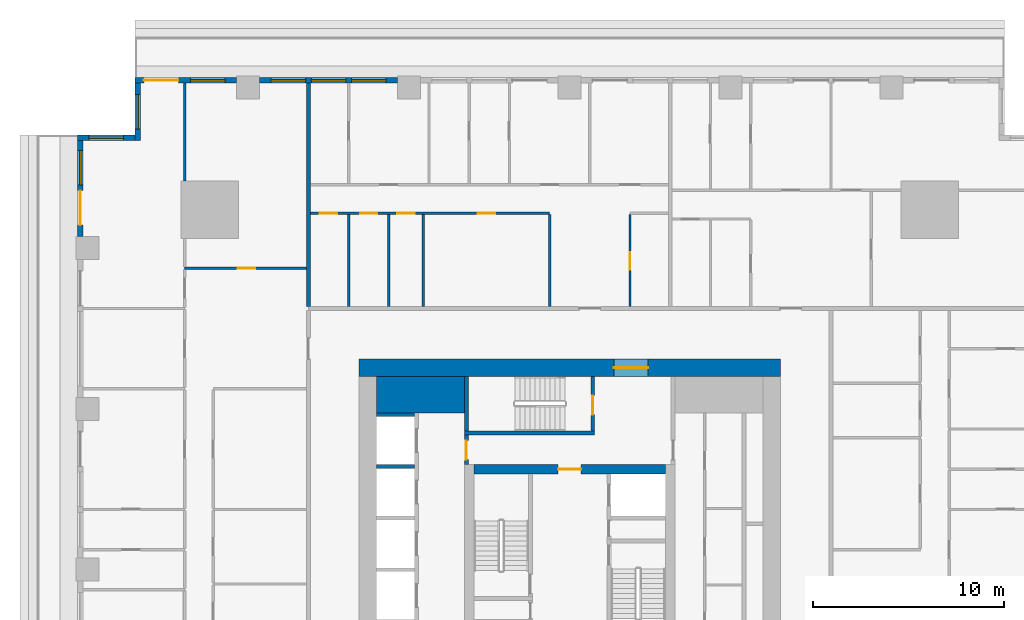
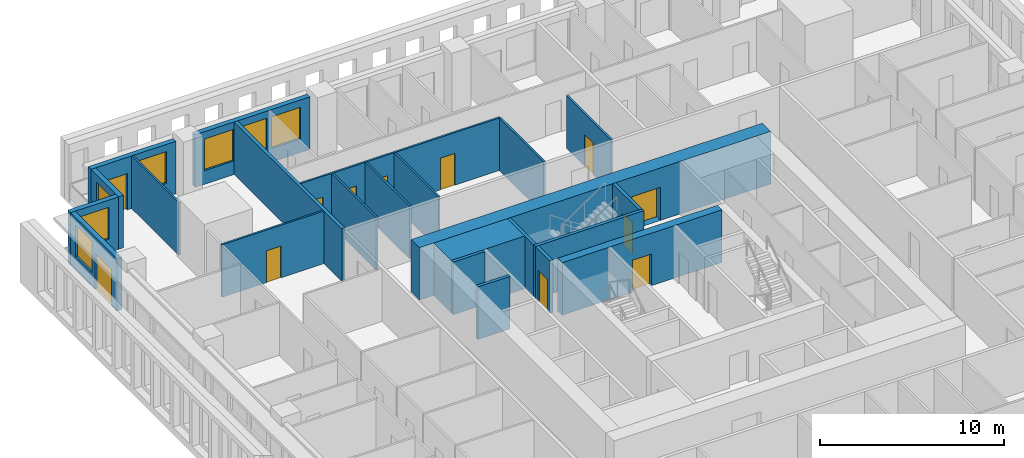
# One storey, part 7 of 15: 23 walls, 12 doors, 7 windows, 19 openings.
"""IFC4 building model written with IfcOpenShell, lengths in metres."""

from ifc_helpers import new_model, si_unit, direction, frame, frame_2d, origin, place, context, subcontext, project, spatial, rectangle, extrude, material, layer, layer_set, type_object, element, fill, save


model = new_model("IFC4")

# Units and contexts
model_context = context("Model", 3, precision=1e-05, world=origin(), true_north=direction((0.0, 1.0)))
body_context = subcontext(model_context, "Body", "Model", "MODEL_VIEW")
ifc_project = project(units=[si_unit("LENGTHUNIT", "METRE"), si_unit("AREAUNIT", "SQUARE_METRE"), si_unit("VOLUMEUNIT", "CUBIC_METRE"), si_unit("PLANEANGLEUNIT", "RADIAN"), si_unit("MASSUNIT", "GRAM", prefix="KILO")], contexts=[model_context])

# Site, building, storey
site_placement = place(None, origin())
site = spatial("IfcSite", under=ifc_project, at=site_placement, CompositionType="ELEMENT")
building_placement = place(site_placement, origin())
building = spatial("IfcBuilding", under=site, at=building_placement, Name="Khepri Terraces", CompositionType="ELEMENT")
storey_placement = place(building_placement, frame((0.0, 0.0, 34.800048828125)))
storey = spatial("IfcBuildingStorey", under=building, at=storey_placement, Name="L07", CompositionType="ELEMENT", Elevation=34.800048828125)

# Walls
ifc_material_1 = material(Name="Concrete C80/95", Category="concrete")
ifc_layer_1 = layer(ifc_material_1, 1.89990234375, Name="Concrete C80/95", Category="concrete")
ifc_layer_set_1 = layer_set([ifc_layer_1], Name="Concrete C80/95")
wall_type_1 = type_object("IfcWallType", Name="Core wall 1900 C80/95", PredefinedType="SHEAR", material=ifc_layer_set_1)
wall_1_placement = place(storey_placement, frame((-10.10009765625, 9.14990234375, 0.0), z_axis=(0.0, 0.0, 1.0), x_axis=(1.0, 0.0, 0.0)))
element("IfcWall", 1, at=wall_1_placement, inside=storey, type_object=wall_type_1, Name="Core wall PR03 L07", PredefinedType="SHEAR", context=body_context, shape_type="SweptSolid", body=[
    extrude(rectangle(XDim=4.60009765625, YDim=1.89990234375, at=frame_2d((2.300048828125, 0.0))), origin(), (0.0, 0.0, 1.0), 3.47998046875),
])
ifc_layer_2 = layer(ifc_material_1, 0.199951171875, Name="Concrete C80/95", Category="concrete")
ifc_layer_set_2 = layer_set([ifc_layer_2], Name="Concrete C80/95")
wall_type_2 = type_object("IfcWallType", Name="Core wall 200 C80/95", PredefinedType="SHEAR", material=ifc_layer_set_2)
wall_2_placement = place(storey_placement, frame((-5.5, 7.14990234375, 0.0), z_axis=(0.0, 0.0, 1.0), x_axis=(1.0, 0.0, 0.0)))
element("IfcWall", 2, at=wall_2_placement, inside=storey, type_object=wall_type_2, Name="Core wall ST05 L07", PredefinedType="SHEAR", context=body_context, shape_type="SweptSolid", body=[
    extrude(rectangle(XDim=6.800048828125, YDim=0.199951171875, at=frame_2d((3.39990234375, 0.0))), origin(), (0.0, 0.0, 1.0), 3.47998046875),
])
wall_3_placement = place(storey_placement, frame((-5.39990234375, 7.25, 0.0), z_axis=(0.0, 0.0, 1.0), x_axis=(0.0, 1.0, 0.0)))
element("IfcWall", 3, at=wall_3_placement, inside=storey, type_object=wall_type_2, Name="Core wall ST06 L07", PredefinedType="SHEAR", context=body_context, shape_type="SweptSolid", body=[
    extrude(rectangle(XDim=2.85009765625, YDim=0.199951171875, at=frame_2d((1.425048828125, 0.0))), origin(), (0.0, 0.0, 1.0), 3.47998046875),
])

# Wall, opening, door
wall_4_placement = place(storey_placement, frame((1.199951171875, 7.25, 0.0), z_axis=(0.0, 0.0, 1.0), x_axis=(0.0, 1.0, 0.0)))
wall_4 = element("IfcWall", 4, at=wall_4_placement, inside=storey, type_object=wall_type_2, Name="Core wall ST07 L07", PredefinedType="SHEAR", context=body_context, shape_type="SweptSolid", body=[
    extrude(rectangle(XDim=2.85009765625, YDim=0.199951171875, at=frame_2d((1.425048828125, 0.0))), origin(), (0.0, 0.0, 1.0), 3.47998046875),
])
opening_1_placement = place(wall_4_placement, frame((0.85009765625, 0.0, 0.0)))
opening_1 = element("IfcOpeningElement", 5, at=opening_1_placement, cuts=wall_4, Name="Opening L07-C15", PredefinedType="OPENING", context=body_context, shape_type="SweptSolid", body=[
    extrude(rectangle(XDim=1.0, YDim=2.10009765625, at=frame_2d((0.5, 1.050048828125))), frame((0.0, 0.10986328125, 0.0), z_axis=(0.0, -1.0, 0.0), x_axis=(1.0, 0.0, 0.0)), (0.0, 0.0, 1.0), 0.219970703125),
])
ifc_material_2 = material(Name="Painted steel", Category="steel")
door_type_1 = type_object("IfcDoorType", Name="DR-CORE-STAIR-1000", OperationType="NOTDEFINED", PredefinedType="DOOR", material=ifc_material_2)
door_1_placement = place(opening_1_placement, origin())
door_1 = element("IfcDoor", 6, at=door_1_placement, inside=storey, type_object=door_type_1, Name="Stair door L07-C15", OperationType="SINGLE_SWING_LEFT", OverallHeight=2.10009765625, OverallWidth=1.0, PredefinedType="DOOR", context=body_context, shape_type="SweptSolid", body=[
    extrude(rectangle(XDim=1.0, YDim=2.10009765625, at=frame_2d((0.5, 1.050048828125))), frame((0.0, 0.02490234375, 0.0), z_axis=(0.0, -1.0, 0.0), x_axis=(1.0, 0.0, 0.0)), (0.0, 0.0, 1.0), 0.050048828125),
])
fill(opening_1, door_1)

# Walls
for number, where, z_axis, x_axis, name in (
    (7, (-10.10009765625, 5.39990234375, 0.0), (0.0, 0.0, 1.0), (1.0, 0.0, 0.0), "Core wall SH19 L07"),
    (8, (-10.10009765625, 8.10009765625, 0.0), (0.0, 0.0, 1.0), (1.0, 0.0, 0.0), "Core wall SH20 L07"),
):
    element("IfcWall", number, at=place(storey_placement, frame(where, z_axis=z_axis, x_axis=x_axis)), inside=storey, type_object=wall_type_2, Name=name, PredefinedType="SHEAR", context=body_context, shape_type="SweptSolid", body=[
        extrude(rectangle(XDim=2.0, YDim=0.199951171875, at=frame_2d((1.0, 0.0))), origin(), (0.0, 0.0, 1.0), 3.47998046875),
    ])

# Wall, opening, door
ifc_layer_3 = layer(ifc_material_1, 0.5, Name="Concrete C80/95", Category="concrete")
ifc_layer_set_3 = layer_set([ifc_layer_3], Name="Concrete C80/95")
wall_type_3 = type_object("IfcWallType", Name="Core wall 500 C80/95", PredefinedType="SHEAR", material=ifc_layer_set_3)
wall_5_placement = place(storey_placement, frame((-5.0, 5.25, 0.0), z_axis=(0.0, 0.0, 1.0), x_axis=(1.0, 0.0, 0.0)))
wall_5 = element("IfcWall", 9, at=wall_5_placement, inside=storey, type_object=wall_type_3, Name="Core wall BX04 L07", PredefinedType="SHEAR", context=body_context, shape_type="SweptSolid", body=[
    extrude(rectangle(XDim=10.0, YDim=0.5, at=frame_2d((5.0, 0.0))), origin(), (0.0, 0.0, 1.0), 3.47998046875),
])
opening_2_placement = place(wall_5_placement, frame((4.39990234375, 0.0, 0.0)))
opening_2 = element("IfcOpeningElement", 10, at=opening_2_placement, cuts=wall_5, Name="Opening L07-C13", PredefinedType="OPENING", context=body_context, shape_type="SweptSolid", body=[
    extrude(rectangle(XDim=1.199951171875, YDim=2.10009765625, at=frame_2d((0.60009765625, 1.050048828125))), frame((0.0, 0.260009765625, 0.0), z_axis=(0.0, -1.0, 0.0), x_axis=(1.0, 0.0, 0.0)), (0.0, 0.0, 1.0), 0.52001953125),
])
door_type_2 = type_object("IfcDoorType", Name="DR-CORE-FF-LOBBY-1200", OperationType="NOTDEFINED", PredefinedType="DOOR", material=ifc_material_2)
door_2_placement = place(opening_2_placement, frame((1.199951171875, 0.0, 0.0), z_axis=(0.0, 0.0, 1.0), x_axis=(-1.0, 0.0, 0.0)))
door_2 = element("IfcDoor", 11, at=door_2_placement, inside=storey, type_object=door_type_2, Name="Firefighting lobby door L07-C13", OperationType="SINGLE_SWING_LEFT", OverallHeight=2.10009765625, OverallWidth=1.199951171875, PredefinedType="DOOR", context=body_context, shape_type="SweptSolid", body=[
    extrude(rectangle(XDim=1.199951171875, YDim=2.10009765625, at=frame_2d((0.60009765625, 1.050048828125))), frame((0.0, 0.02490234375, 0.0), z_axis=(0.0, -1.0, 0.0), x_axis=(1.0, 0.0, 0.0)), (0.0, 0.0, 1.0), 0.050048828125),
])
fill(opening_2, door_2)

ifc_layer_4 = layer(ifc_material_1, 0.89990234375, Name="Concrete C80/95", Category="concrete")
ifc_layer_set_4 = layer_set([ifc_layer_4], Name="Concrete C80/95")
wall_type_4 = type_object("IfcWallType", Name="Core wall 900 C80/95", PredefinedType="SHEAR", material=ifc_layer_set_4)
wall_6_placement = place(storey_placement, frame((-11.0, 10.550048828125, 0.0), z_axis=(0.0, 0.0, 1.0), x_axis=(1.0, 0.0, 0.0)))
wall_6 = element("IfcWall", 12, at=wall_6_placement, inside=storey, type_object=wall_type_4, Name="Core wall OW-N L07", PredefinedType="SHEAR", context=body_context, shape_type="SweptSolid", body=[
    extrude(rectangle(XDim=22.0, YDim=0.89990234375, at=frame_2d((11.0, 0.0))), origin(), (0.0, 0.0, 1.0), 3.47998046875),
])
opening_3_placement = place(wall_6_placement, frame((13.300048828125, 0.0, 0.0)))
opening_3 = element("IfcOpeningElement", 13, at=opening_3_placement, cuts=wall_6, Name="Opening L07-C20", PredefinedType="OPENING", context=body_context, shape_type="SweptSolid", body=[
    extrude(rectangle(XDim=1.800048828125, YDim=2.199951171875, at=frame_2d((0.89990234375, 1.10009765625))), frame((0.0, 0.4599609375, 0.0), z_axis=(0.0, -1.0, 0.0), x_axis=(1.0, 0.0, 0.0)), (0.0, 0.0, 1.0), 0.919921875),
])
door_type_3 = type_object("IfcDoorType", Name="DR-CORE-ENTRANCE-1800", OperationType="NOTDEFINED", PredefinedType="DOOR", material=ifc_material_2)
door_3_placement = place(opening_3_placement, origin())
door_3 = element("IfcDoor", 14, at=door_3_placement, inside=storey, type_object=door_type_3, Name="Core entrance door pair L07-C20", OperationType="DOUBLE_DOOR_SINGLE_SWING", OverallHeight=2.199951171875, OverallWidth=1.800048828125, PredefinedType="DOOR", context=body_context, shape_type="SweptSolid", body=[
    extrude(rectangle(XDim=1.800048828125, YDim=2.199951171875, at=frame_2d((0.89990234375, 1.10009765625))), frame((0.0, 0.02490234375, 0.0), z_axis=(0.0, -1.0, 0.0), x_axis=(1.0, 0.0, 0.0)), (0.0, 0.0, 1.0), 0.050048828125),
])
fill(opening_3, door_3)

ifc_material_3 = material(Name="Fire-rated gypsum board partition")
ifc_layer_5 = layer(ifc_material_3, 0.199951171875, Name="Fire-rated gypsum board partition")
ifc_layer_set_5 = layer_set([ifc_layer_5], Name="Fire-rated gypsum board partition")
wall_type_5 = type_object("IfcWallType", Name="WL-CORE-PART-200", PredefinedType="PARTITIONING", material=ifc_layer_set_5)
wall_7_placement = place(storey_placement, frame((-5.39990234375, 5.5, 0.0), z_axis=(0.0, 0.0, 1.0), x_axis=(0.0, 1.0, 0.0)))
wall_7 = element("IfcWall", 15, at=wall_7_placement, inside=storey, type_object=wall_type_5, Name="Core partition PT07 L07", PredefinedType="PARTITIONING", context=body_context, shape_type="SweptSolid", body=[
    extrude(rectangle(XDim=1.550048828125, YDim=0.199951171875, at=frame_2d((0.77490234375, 0.0))), origin(), (0.0, 0.0, 1.0), 3.47998046875),
])
opening_4_placement = place(wall_7_placement, frame((0.25, 0.0, 0.0)))
opening_4 = element("IfcOpeningElement", 16, at=opening_4_placement, cuts=wall_7, Name="Opening L07-C16", PredefinedType="OPENING", context=body_context, shape_type="SweptSolid", body=[
    extrude(rectangle(XDim=1.0, YDim=2.10009765625, at=frame_2d((0.5, 1.050048828125))), frame((0.0, 0.10986328125, 0.0), z_axis=(0.0, -1.0, 0.0), x_axis=(1.0, 0.0, 0.0)), (0.0, 0.0, 1.0), 0.219970703125),
])
door_type_4 = type_object("IfcDoorType", Name="DR-CORE-LOBBY-1000", OperationType="NOTDEFINED", PredefinedType="DOOR", material=ifc_material_2)
door_4_placement = place(opening_4_placement, frame((1.0, 0.0, 0.0), z_axis=(0.0, 0.0, 1.0), x_axis=(-1.0, 0.0, 0.0)))
door_4 = element("IfcDoor", 17, at=door_4_placement, inside=storey, type_object=door_type_4, Name="Lobby door L07-C16", OperationType="SINGLE_SWING_RIGHT", OverallHeight=2.10009765625, OverallWidth=1.0, PredefinedType="DOOR", context=body_context, shape_type="SweptSolid", body=[
    extrude(rectangle(XDim=1.0, YDim=2.10009765625, at=frame_2d((0.5, 1.050048828125))), frame((0.0, 0.02490234375, 0.0), z_axis=(0.0, -1.0, 0.0), x_axis=(1.0, 0.0, 0.0)), (0.0, 0.0, 1.0), 0.050048828125),
])
fill(opening_4, door_4)

# Wall
ifc_material_4 = material(Name="Fire-rated gypsum plasterboard partition, mineral wool")
ifc_layer_6 = layer(ifc_material_4, 0.199951171875, Name="Fire-rated gypsum plasterboard partition, mineral wool")
ifc_layer_set_6 = layer_set([ifc_layer_6], Name="Fire-rated gypsum plasterboard partition, mineral wool")
wall_type_6 = type_object("IfcWallType", Name="WL-CORR-200", PredefinedType="PARTITIONING", material=ifc_layer_set_6)
wall_8_placement = place(storey_placement, frame((-13.64990234375, 13.75, 0.0), z_axis=(0.0, 0.0, 1.0), x_axis=(0.0, 1.0, 0.0)))
element("IfcWall", 18, at=wall_8_placement, inside=storey, type_object=wall_type_6, Name="Partition P-083 L07", PredefinedType="PARTITIONING", context=body_context, shape_type="SweptSolid", body=[
    extrude(rectangle(XDim=11.669921875, YDim=0.199951171875, at=frame_2d((5.8349609375, 0.0))), origin(), (0.0, 0.0, 1.0), 3.47998046875),
])

# Wall, openings, windows
ifc_material_5 = material(Name="Precast concrete C50/60 warm stone", Category="masonry")
ifc_layer_7 = layer(ifc_material_5, 0.300048828125, Name="Precast concrete C50/60 warm stone", Category="masonry")
ifc_layer_set_7 = layer_set([ifc_layer_7], Name="Precast concrete C50/60 warm stone")
wall_type_7 = type_object("IfcWallType", Name="WL-EXT-PRECAST-300", PredefinedType="STANDARD", material=ifc_layer_set_7)
wall_9_placement = place(storey_placement, frame((-9.0, 25.570068359375, 0.0), z_axis=(0.0, 0.0, 1.0), x_axis=(-1.0, 0.0, 0.0)))
wall_9 = element("IfcWall", 19, at=wall_9_placement, inside=storey, type_object=wall_type_7, Name="External wall L07 N", PredefinedType="STANDARD", context=body_context, shape_type="SweptSolid", body=[
    extrude(rectangle(XDim=7.199951171875, YDim=0.300048828125, at=frame_2d((3.60009765625, 0.0))), origin(), (0.0, 0.0, 1.0), 3.47998046875),
])
opening_5_placement = place(wall_9_placement, frame((0.60009765625, 0.0, 0.89990234375)))
opening_5 = element("IfcOpeningElement", 20, at=opening_5_placement, cuts=wall_9, Name="Opening W1", PredefinedType="OPENING", context=body_context, shape_type="SweptSolid", body=[
    extrude(rectangle(XDim=1.800048828125, YDim=2.10009765625, at=frame_2d((0.89990234375, 1.050048828125))), frame((0.0, 0.16015625, 0.0), z_axis=(0.0, -1.0, 0.0), x_axis=(1.0, 0.0, 0.0)), (0.0, 0.0, 1.0), 0.320068359375),
])
opening_6_placement = place(wall_9_placement, frame((2.699951171875, 0.0, 0.89990234375)))
opening_6 = element("IfcOpeningElement", 21, at=opening_6_placement, cuts=wall_9, Name="Opening W1", PredefinedType="OPENING", context=body_context, shape_type="SweptSolid", body=[
    extrude(rectangle(XDim=1.800048828125, YDim=2.10009765625, at=frame_2d((0.89990234375, 1.050048828125))), frame((0.0, 0.16015625, 0.0), z_axis=(0.0, -1.0, 0.0), x_axis=(1.0, 0.0, 0.0)), (0.0, 0.0, 1.0), 0.320068359375),
])
opening_7_placement = place(wall_9_placement, frame((4.800048828125, 0.0, 0.89990234375)))
opening_7 = element("IfcOpeningElement", 22, at=opening_7_placement, cuts=wall_9, Name="Opening W1", PredefinedType="OPENING", context=body_context, shape_type="SweptSolid", body=[
    extrude(rectangle(XDim=1.800048828125, YDim=2.10009765625, at=frame_2d((0.89990234375, 1.050048828125))), frame((0.0, 0.16015625, 0.0), z_axis=(0.0, -1.0, 0.0), x_axis=(1.0, 0.0, 0.0)), (0.0, 0.0, 1.0), 0.320068359375),
])
ifc_material_6 = material(Name="Clear glass", Category="glass")
window_type = type_object("IfcWindowType", Name="WIN-RES-1800x2100", PartitioningType="SINGLE_PANEL", PredefinedType="WINDOW", material=ifc_material_6)
window_1_placement = place(opening_5_placement, origin())
window_1 = element("IfcWindow", 23, at=window_1_placement, inside=storey, type_object=window_type, Name="Window L07 N", OverallHeight=2.10009765625, OverallWidth=1.800048828125, PartitioningType="SINGLE_PANEL", PredefinedType="WINDOW", context=body_context, shape_type="SweptSolid", body=[
    extrude(rectangle(XDim=1.800048828125, YDim=2.10009765625, at=frame_2d((0.89990234375, 1.050048828125))), frame((0.0, 0.030029296875, 0.0), z_axis=(0.0, -1.0, 0.0), x_axis=(1.0, 0.0, 0.0)), (0.0, 0.0, 1.0), 0.06005859375),
])
fill(opening_5, window_1)
window_2_placement = place(opening_6_placement, origin())
window_2 = element("IfcWindow", 24, at=window_2_placement, inside=storey, type_object=window_type, Name="Window L07 N", OverallHeight=2.10009765625, OverallWidth=1.800048828125, PartitioningType="SINGLE_PANEL", PredefinedType="WINDOW", context=body_context, shape_type="SweptSolid", body=[
    extrude(rectangle(XDim=1.800048828125, YDim=2.10009765625, at=frame_2d((0.89990234375, 1.050048828125))), frame((0.0, 0.030029296875, 0.0), z_axis=(0.0, -1.0, 0.0), x_axis=(1.0, 0.0, 0.0)), (0.0, 0.0, 1.0), 0.06005859375),
])
fill(opening_6, window_2)
window_3_placement = place(opening_7_placement, origin())
window_3 = element("IfcWindow", 25, at=window_3_placement, inside=storey, type_object=window_type, Name="Window L07 N", OverallHeight=2.10009765625, OverallWidth=1.800048828125, PartitioningType="SINGLE_PANEL", PredefinedType="WINDOW", context=body_context, shape_type="SweptSolid", body=[
    extrude(rectangle(XDim=1.800048828125, YDim=2.10009765625, at=frame_2d((0.89990234375, 1.050048828125))), frame((0.0, 0.030029296875, 0.0), z_axis=(0.0, -1.0, 0.0), x_axis=(1.0, 0.0, 0.0)), (0.0, 0.0, 1.0), 0.06005859375),
])
fill(opening_7, window_3)

# Wall, openings, door, window
wall_10_placement = place(storey_placement, frame((-17.39990234375, 25.570068359375, 0.0), z_axis=(0.0, 0.0, 1.0), x_axis=(-1.0, 0.0, 0.0)))
wall_10 = element("IfcWall", 26, at=wall_10_placement, inside=storey, type_object=wall_type_7, Name="External wall L07 N", PredefinedType="STANDARD", context=body_context, shape_type="SweptSolid", body=[
    extrude(rectangle(XDim=5.320068359375, YDim=0.300048828125, at=frame_2d((2.66015625, 0.0))), origin(), (0.0, 0.0, 1.0), 3.47998046875),
])
opening_8_placement = place(wall_10_placement, frame((0.60009765625, 0.0, 0.89990234375)))
opening_8 = element("IfcOpeningElement", 27, at=opening_8_placement, cuts=wall_10, Name="Opening W1", PredefinedType="OPENING", context=body_context, shape_type="SweptSolid", body=[
    extrude(rectangle(XDim=1.800048828125, YDim=2.10009765625, at=frame_2d((0.89990234375, 1.050048828125))), frame((0.0, 0.16015625, 0.0), z_axis=(0.0, -1.0, 0.0), x_axis=(1.0, 0.0, 0.0)), (0.0, 0.0, 1.0), 0.320068359375),
])
opening_9_placement = place(wall_10_placement, frame((3.044921875, 0.0, 0.0)))
opening_9 = element("IfcOpeningElement", 28, at=opening_9_placement, cuts=wall_10, Name="Opening ED-L07-12", PredefinedType="OPENING", context=body_context, shape_type="SweptSolid", body=[
    extrude(rectangle(XDim=1.800048828125, YDim=2.39990234375, at=frame_2d((0.89990234375, 1.199951171875))), frame((0.0, 0.16015625, 0.0), z_axis=(0.0, -1.0, 0.0), x_axis=(1.0, 0.0, 0.0)), (0.0, 0.0, 1.0), 0.320068359375),
])
ifc_material_7 = material(Name="Anodised aluminium bronze glazed door", Category="aluminium")
door_type_5 = type_object("IfcDoorType", Name="DR-BAL-SLIDE-1800x2400", OperationType="NOTDEFINED", PredefinedType="DOOR", material=ifc_material_7)
door_5_placement = place(opening_9_placement, origin())
door_5 = element("IfcDoor", 29, at=door_5_placement, inside=storey, type_object=door_type_5, Name="Balcony door L07 N", OperationType="SLIDING_TO_RIGHT", OverallHeight=2.39990234375, OverallWidth=1.800048828125, PredefinedType="DOOR", context=body_context, shape_type="SweptSolid", body=[
    extrude(rectangle(XDim=1.800048828125, YDim=2.39990234375, at=frame_2d((0.89990234375, 1.199951171875))), frame((0.0, 0.02490234375, 0.0), z_axis=(0.0, -1.0, 0.0), x_axis=(1.0, 0.0, 0.0)), (0.0, 0.0, 1.0), 0.050048828125),
])
fill(opening_9, door_5)
window_4_placement = place(opening_8_placement, origin())
window_4 = element("IfcWindow", 30, at=window_4_placement, inside=storey, type_object=window_type, Name="Window L07 N", OverallHeight=2.10009765625, OverallWidth=1.800048828125, PartitioningType="SINGLE_PANEL", PredefinedType="WINDOW", context=body_context, shape_type="SweptSolid", body=[
    extrude(rectangle(XDim=1.800048828125, YDim=2.10009765625, at=frame_2d((0.89990234375, 1.050048828125))), frame((0.0, 0.030029296875, 0.0), z_axis=(0.0, -1.0, 0.0), x_axis=(1.0, 0.0, 0.0)), (0.0, 0.0, 1.0), 0.06005859375),
])
fill(opening_8, window_4)

# Wall, opening, window
wall_11_placement = place(storey_placement, frame((-22.570068359375, 25.419921875, 0.0), z_axis=(0.0, 0.0, 1.0), x_axis=(0.0, -1.0, 0.0)))
wall_11 = element("IfcWall", 31, at=wall_11_placement, inside=storey, type_object=wall_type_7, Name="External wall L07 W", PredefinedType="STANDARD", context=body_context, shape_type="SweptSolid", body=[
    extrude(rectangle(XDim=3.0, YDim=0.300048828125, at=frame_2d((1.5, 0.0))), origin(), (0.0, 0.0, 1.0), 3.47998046875),
])
opening_10_placement = place(wall_11_placement, frame((0.60009765625, 0.0, 0.89990234375)))
opening_10 = element("IfcOpeningElement", 32, at=opening_10_placement, cuts=wall_11, Name="Opening W1", PredefinedType="OPENING", context=body_context, shape_type="SweptSolid", body=[
    extrude(rectangle(XDim=1.800048828125, YDim=2.10009765625, at=frame_2d((0.89990234375, 1.050048828125))), frame((0.0, 0.16015625, 0.0), z_axis=(0.0, -1.0, 0.0), x_axis=(1.0, 0.0, 0.0)), (0.0, 0.0, 1.0), 0.320068359375),
])
window_5_placement = place(opening_10_placement, origin())
window_5 = element("IfcWindow", 33, at=window_5_placement, inside=storey, type_object=window_type, Name="Window L07 W", OverallHeight=2.10009765625, OverallWidth=1.800048828125, PartitioningType="SINGLE_PANEL", PredefinedType="WINDOW", context=body_context, shape_type="SweptSolid", body=[
    extrude(rectangle(XDim=1.800048828125, YDim=2.10009765625, at=frame_2d((0.89990234375, 1.050048828125))), frame((0.0, 0.030029296875, 0.0), z_axis=(0.0, -1.0, 0.0), x_axis=(1.0, 0.0, 0.0)), (0.0, 0.0, 1.0), 0.06005859375),
])
fill(opening_10, window_5)

wall_12_placement = place(storey_placement, frame((-22.719970703125, 22.570068359375, 0.0), z_axis=(0.0, 0.0, 1.0), x_axis=(-1.0, 0.0, 0.0)))
wall_12 = element("IfcWall", 34, at=wall_12_placement, inside=storey, type_object=wall_type_7, Name="External wall L07 N", PredefinedType="STANDARD", context=body_context, shape_type="SweptSolid", body=[
    extrude(rectangle(XDim=3.0, YDim=0.300048828125, at=frame_2d((1.5, 0.0))), origin(), (0.0, 0.0, 1.0), 3.47998046875),
])
opening_11_placement = place(wall_12_placement, frame((0.60009765625, 0.0, 0.89990234375)))
opening_11 = element("IfcOpeningElement", 35, at=opening_11_placement, cuts=wall_12, Name="Opening W1", PredefinedType="OPENING", context=body_context, shape_type="SweptSolid", body=[
    extrude(rectangle(XDim=1.800048828125, YDim=2.10009765625, at=frame_2d((0.89990234375, 1.050048828125))), frame((0.0, 0.16015625, 0.0), z_axis=(0.0, -1.0, 0.0), x_axis=(1.0, 0.0, 0.0)), (0.0, 0.0, 1.0), 0.320068359375),
])
window_6_placement = place(opening_11_placement, origin())
window_6 = element("IfcWindow", 36, at=window_6_placement, inside=storey, type_object=window_type, Name="Window L07 N", OverallHeight=2.10009765625, OverallWidth=1.800048828125, PartitioningType="SINGLE_PANEL", PredefinedType="WINDOW", context=body_context, shape_type="SweptSolid", body=[
    extrude(rectangle(XDim=1.800048828125, YDim=2.10009765625, at=frame_2d((0.89990234375, 1.050048828125))), frame((0.0, 0.030029296875, 0.0), z_axis=(0.0, -1.0, 0.0), x_axis=(1.0, 0.0, 0.0)), (0.0, 0.0, 1.0), 0.06005859375),
])
fill(opening_11, window_6)

# Wall, openings, door, window
wall_13_placement = place(storey_placement, frame((-25.570068359375, 22.419921875, 0.0), z_axis=(0.0, 0.0, 1.0), x_axis=(0.0, -1.0, 0.0)))
wall_13 = element("IfcWall", 37, at=wall_13_placement, inside=storey, type_object=wall_type_7, Name="External wall L07 W", PredefinedType="STANDARD", context=body_context, shape_type="SweptSolid", body=[
    extrude(rectangle(XDim=5.02001953125, YDim=0.300048828125, at=frame_2d((2.510009765625, 0.0))), origin(), (0.0, 0.0, 1.0), 3.47998046875),
])
opening_12_placement = place(wall_13_placement, frame((0.52001953125, 0.0, 0.89990234375)))
opening_12 = element("IfcOpeningElement", 38, at=opening_12_placement, cuts=wall_13, Name="Opening W1", PredefinedType="OPENING", context=body_context, shape_type="SweptSolid", body=[
    extrude(rectangle(XDim=1.800048828125, YDim=2.10009765625, at=frame_2d((0.89990234375, 1.050048828125))), frame((0.0, 0.16015625, 0.0), z_axis=(0.0, -1.0, 0.0), x_axis=(1.0, 0.0, 0.0)), (0.0, 0.0, 1.0), 0.320068359375),
])
opening_13_placement = place(wall_13_placement, frame((2.6201171875, 0.0, 0.0)))
opening_13 = element("IfcOpeningElement", 39, at=opening_13_placement, cuts=wall_13, Name="Opening ED-L07-13", PredefinedType="OPENING", context=body_context, shape_type="SweptSolid", body=[
    extrude(rectangle(XDim=1.800048828125, YDim=2.39990234375, at=frame_2d((0.89990234375, 1.199951171875))), frame((0.0, 0.16015625, 0.0), z_axis=(0.0, -1.0, 0.0), x_axis=(1.0, 0.0, 0.0)), (0.0, 0.0, 1.0), 0.320068359375),
])
door_6_placement = place(opening_13_placement, origin())
door_6 = element("IfcDoor", 40, at=door_6_placement, inside=storey, type_object=door_type_5, Name="Balcony door L07 W", OperationType="SLIDING_TO_RIGHT", OverallHeight=2.39990234375, OverallWidth=1.800048828125, PredefinedType="DOOR", context=body_context, shape_type="SweptSolid", body=[
    extrude(rectangle(XDim=1.800048828125, YDim=2.39990234375, at=frame_2d((0.89990234375, 1.199951171875))), frame((0.0, 0.02490234375, 0.0), z_axis=(0.0, -1.0, 0.0), x_axis=(1.0, 0.0, 0.0)), (0.0, 0.0, 1.0), 0.050048828125),
])
fill(opening_13, door_6)
window_7_placement = place(opening_12_placement, origin())
window_7 = element("IfcWindow", 41, at=window_7_placement, inside=storey, type_object=window_type, Name="Window L07 W", OverallHeight=2.10009765625, OverallWidth=1.800048828125, PartitioningType="SINGLE_PANEL", PredefinedType="WINDOW", context=body_context, shape_type="SweptSolid", body=[
    extrude(rectangle(XDim=1.800048828125, YDim=2.10009765625, at=frame_2d((0.89990234375, 1.050048828125))), frame((0.0, 0.030029296875, 0.0), z_axis=(0.0, -1.0, 0.0), x_axis=(1.0, 0.0, 0.0)), (0.0, 0.0, 1.0), 0.06005859375),
])
fill(opening_12, window_7)

# Walls
ifc_material_8 = material(Name="Gypsum plasterboard partition")
ifc_layer_8 = layer(ifc_material_8, 0.1201171875, Name="Gypsum plasterboard partition")
ifc_layer_set_8 = layer_set([ifc_layer_8], Name="Gypsum plasterboard partition")
wall_type_8 = type_object("IfcWallType", Name="WL-PART-120", PredefinedType="PARTITIONING", material=ifc_layer_set_8)
for number, where, z_axis, x_axis, name in (
    (42, (-11.550048828125, 13.75, 0.0), (0.0, 0.0, 1.0), (0.0, 1.0, 0.0), "Partition P-084 L07"),
    (43, (-9.449951171875, 13.75, 0.0), (0.0, 0.0, 1.0), (0.0, 1.0, 0.0), "Partition P-085 L07"),
    (44, (-7.64990234375, 13.75, 0.0), (0.0, 0.0, 1.0), (0.0, 1.0, 0.0), "Partition P-086 L07"),
    (45, (-1.050048828125, 13.75, 0.0), (0.0, 0.0, 1.0), (0.0, 1.0, 0.0), "Partition P-087 L07"),
):
    element("IfcWall", number, at=place(storey_placement, frame(where, z_axis=z_axis, x_axis=x_axis)), inside=storey, type_object=wall_type_8, Name=name, PredefinedType="PARTITIONING", context=body_context, shape_type="SweptSolid", body=[
        extrude(rectangle(XDim=4.81005859375, YDim=0.1201171875, at=frame_2d((2.405029296875, 0.0))), origin(), (0.0, 0.0, 1.0), 3.47998046875),
    ])

# Wall, opening, door
wall_14_placement = place(storey_placement, frame((3.14990234375, 13.75, 0.0), z_axis=(0.0, 0.0, 1.0), x_axis=(0.0, 1.0, 0.0)))
wall_14 = element("IfcWall", 46, at=wall_14_placement, inside=storey, type_object=wall_type_8, Name="Partition P-088 L07", PredefinedType="PARTITIONING", context=body_context, shape_type="SweptSolid", body=[
    extrude(rectangle(XDim=4.81005859375, YDim=0.1201171875, at=frame_2d((2.405029296875, 0.0))), origin(), (0.0, 0.0, 1.0), 3.47998046875),
])
opening_14_placement = place(wall_14_placement, frame((1.93505859375, 0.0, 0.0)))
opening_14 = element("IfcOpeningElement", 47, at=opening_14_placement, cuts=wall_14, Name="Opening D3", PredefinedType="OPENING", context=body_context, shape_type="SweptSolid", body=[
    extrude(rectangle(XDim=0.89990234375, YDim=2.10009765625, at=frame_2d((0.449951171875, 1.050048828125))), frame((0.0, 0.070068359375, 0.0), z_axis=(0.0, -1.0, 0.0), x_axis=(1.0, 0.0, 0.0)), (0.0, 0.0, 1.0), 0.14013671875),
])
ifc_material_9 = material(Name="Timber door leaf", Category="wood")
door_type_6 = type_object("IfcDoorType", Name="DR-INT-900", OperationType="NOTDEFINED", PredefinedType="DOOR", material=ifc_material_9)
door_7_placement = place(opening_14_placement, frame((0.89990234375, 0.0, 0.0), z_axis=(0.0, 0.0, 1.0), x_axis=(-1.0, 0.0, 0.0)))
door_7 = element("IfcDoor", 48, at=door_7_placement, inside=storey, type_object=door_type_6, Name="Door Utility Room", OperationType="SINGLE_SWING_RIGHT", OverallHeight=2.10009765625, OverallWidth=0.89990234375, PredefinedType="DOOR", context=body_context, shape_type="SweptSolid", body=[
    extrude(rectangle(XDim=0.89990234375, YDim=2.10009765625, at=frame_2d((0.449951171875, 1.050048828125))), frame((0.0, 0.02490234375, 0.0), z_axis=(0.0, -1.0, 0.0), x_axis=(1.0, 0.0, 0.0)), (0.0, 0.0, 1.0), 0.050048828125),
])
fill(opening_14, door_7)

wall_15_placement = place(storey_placement, frame((-20.1201171875, 15.75, 0.0), z_axis=(0.0, 0.0, 1.0), x_axis=(1.0, 0.0, 0.0)))
wall_15 = element("IfcWall", 49, at=wall_15_placement, inside=storey, type_object=wall_type_8, Name="Partition P-093 L07", PredefinedType="PARTITIONING", context=body_context, shape_type="SweptSolid", body=[
    extrude(rectangle(XDim=6.3701171875, YDim=0.1201171875, at=frame_2d((3.18505859375, 0.0))), origin(), (0.0, 0.0, 1.0), 3.47998046875),
])
opening_15_placement = place(wall_15_placement, frame((2.784912109375, 0.0, 0.0)))
opening_15 = element("IfcOpeningElement", 50, at=opening_15_placement, cuts=wall_15, Name="Opening D3", PredefinedType="OPENING", context=body_context, shape_type="SweptSolid", body=[
    extrude(rectangle(XDim=0.89990234375, YDim=2.10009765625, at=frame_2d((0.449951171875, 1.050048828125))), frame((0.0, 0.070068359375, 0.0), z_axis=(0.0, -1.0, 0.0), x_axis=(1.0, 0.0, 0.0)), (0.0, 0.0, 1.0), 0.14013671875),
])
door_8_placement = place(opening_15_placement, origin())
door_8 = element("IfcDoor", 51, at=door_8_placement, inside=storey, type_object=door_type_6, Name="Door Library", OperationType="SINGLE_SWING_RIGHT", OverallHeight=2.10009765625, OverallWidth=0.89990234375, PredefinedType="DOOR", context=body_context, shape_type="SweptSolid", body=[
    extrude(rectangle(XDim=0.89990234375, YDim=2.10009765625, at=frame_2d((0.449951171875, 1.050048828125))), frame((0.0, 0.02490234375, 0.0), z_axis=(0.0, -1.0, 0.0), x_axis=(1.0, 0.0, 0.0)), (0.0, 0.0, 1.0), 0.050048828125),
])
fill(opening_15, door_8)

# Wall, openings, doors
wall_16_placement = place(storey_placement, frame((-13.550048828125, 18.6201171875, 0.0), z_axis=(0.0, 0.0, 1.0), x_axis=(1.0, 0.0, 0.0)))
wall_16 = element("IfcWall", 52, at=wall_16_placement, inside=storey, type_object=wall_type_8, Name="Partition P-096 L07", PredefinedType="PARTITIONING", context=body_context, shape_type="SweptSolid", body=[
    extrude(rectangle(XDim=12.5, YDim=0.1201171875, at=frame_2d((6.25, 0.0))), origin(), (0.0, 0.0, 1.0), 3.47998046875),
])
opening_16_placement = place(wall_16_placement, frame((8.75, 0.0, 0.0)))
opening_16 = element("IfcOpeningElement", 53, at=opening_16_placement, cuts=wall_16, Name="Opening D3", PredefinedType="OPENING", context=body_context, shape_type="SweptSolid", body=[
    extrude(rectangle(XDim=0.89990234375, YDim=2.10009765625, at=frame_2d((0.449951171875, 1.050048828125))), frame((0.0, 0.070068359375, 0.0), z_axis=(0.0, -1.0, 0.0), x_axis=(1.0, 0.0, 0.0)), (0.0, 0.0, 1.0), 0.14013671875),
])
opening_17_placement = place(wall_16_placement, frame((4.550048828125, 0.0, 0.0)))
opening_17 = element("IfcOpeningElement", 54, at=opening_17_placement, cuts=wall_16, Name="Opening D3", PredefinedType="OPENING", context=body_context, shape_type="SweptSolid", body=[
    extrude(rectangle(XDim=0.89990234375, YDim=2.10009765625, at=frame_2d((0.449951171875, 1.050048828125))), frame((0.0, 0.070068359375, 0.0), z_axis=(0.0, -1.0, 0.0), x_axis=(1.0, 0.0, 0.0)), (0.0, 0.0, 1.0), 0.14013671875),
])
opening_18_placement = place(wall_16_placement, frame((2.60009765625, 0.0, 0.0)))
opening_18 = element("IfcOpeningElement", 55, at=opening_18_placement, cuts=wall_16, Name="Opening D4", PredefinedType="OPENING", context=body_context, shape_type="SweptSolid", body=[
    extrude(rectangle(XDim=0.89990234375, YDim=2.10009765625, at=frame_2d((0.449951171875, 1.050048828125))), frame((0.0, 0.070068359375, 0.0), z_axis=(0.0, -1.0, 0.0), x_axis=(1.0, 0.0, 0.0)), (0.0, 0.0, 1.0), 0.14013671875),
])
opening_19_placement = place(wall_16_placement, frame((0.5, 0.0, 0.0)))
opening_19 = element("IfcOpeningElement", 56, at=opening_19_placement, cuts=wall_16, Name="Opening D4", PredefinedType="OPENING", context=body_context, shape_type="SweptSolid", body=[
    extrude(rectangle(XDim=0.89990234375, YDim=2.10009765625, at=frame_2d((0.449951171875, 1.050048828125))), frame((0.0, 0.070068359375, 0.0), z_axis=(0.0, -1.0, 0.0), x_axis=(1.0, 0.0, 0.0)), (0.0, 0.0, 1.0), 0.14013671875),
])
door_9_placement = place(opening_16_placement, frame((0.89990234375, 0.0, 0.0), z_axis=(0.0, 0.0, 1.0), x_axis=(-1.0, 0.0, 0.0)))
door_9 = element("IfcDoor", 57, at=door_9_placement, inside=storey, type_object=door_type_6, Name="Door Kitchen", OperationType="SINGLE_SWING_LEFT", OverallHeight=2.10009765625, OverallWidth=0.89990234375, PredefinedType="DOOR", context=body_context, shape_type="SweptSolid", body=[
    extrude(rectangle(XDim=0.89990234375, YDim=2.10009765625, at=frame_2d((0.449951171875, 1.050048828125))), frame((0.0, 0.02490234375, 0.0), z_axis=(0.0, -1.0, 0.0), x_axis=(1.0, 0.0, 0.0)), (0.0, 0.0, 1.0), 0.050048828125),
])
fill(opening_16, door_9)
door_10_placement = place(opening_17_placement, frame((0.89990234375, 0.0, 0.0), z_axis=(0.0, 0.0, 1.0), x_axis=(-1.0, 0.0, 0.0)))
door_10 = element("IfcDoor", 58, at=door_10_placement, inside=storey, type_object=door_type_6, Name="Door Service Store", OperationType="SINGLE_SWING_RIGHT", OverallHeight=2.10009765625, OverallWidth=0.89990234375, PredefinedType="DOOR", context=body_context, shape_type="SweptSolid", body=[
    extrude(rectangle(XDim=0.89990234375, YDim=2.10009765625, at=frame_2d((0.449951171875, 1.050048828125))), frame((0.0, 0.02490234375, 0.0), z_axis=(0.0, -1.0, 0.0), x_axis=(1.0, 0.0, 0.0)), (0.0, 0.0, 1.0), 0.050048828125),
])
fill(opening_17, door_10)
ifc_material_10 = material(Name="Timber door leaf, moisture resistant", Category="wood")
door_type_7 = type_object("IfcDoorType", Name="DR-WET-900", OperationType="NOTDEFINED", PredefinedType="DOOR", material=ifc_material_10)
door_11_placement = place(opening_18_placement, frame((0.89990234375, 0.0, 0.0), z_axis=(0.0, 0.0, 1.0), x_axis=(-1.0, 0.0, 0.0)))
door_11 = element("IfcDoor", 59, at=door_11_placement, inside=storey, type_object=door_type_7, Name="Door Powder Room", OperationType="SINGLE_SWING_RIGHT", OverallHeight=2.10009765625, OverallWidth=0.89990234375, PredefinedType="DOOR", context=body_context, shape_type="SweptSolid", body=[
    extrude(rectangle(XDim=0.89990234375, YDim=2.10009765625, at=frame_2d((0.449951171875, 1.050048828125))), frame((0.0, 0.02490234375, 0.0), z_axis=(0.0, -1.0, 0.0), x_axis=(1.0, 0.0, 0.0)), (0.0, 0.0, 1.0), 0.050048828125),
])
fill(opening_18, door_11)
door_12_placement = place(opening_19_placement, frame((0.89990234375, 0.0, 0.0), z_axis=(0.0, 0.0, 1.0), x_axis=(-1.0, 0.0, 0.0)))
door_12 = element("IfcDoor", 60, at=door_12_placement, inside=storey, type_object=door_type_7, Name="Door Guest Bathroom", OperationType="SINGLE_SWING_RIGHT", OverallHeight=2.10009765625, OverallWidth=0.89990234375, PredefinedType="DOOR", context=body_context, shape_type="SweptSolid", body=[
    extrude(rectangle(XDim=0.89990234375, YDim=2.10009765625, at=frame_2d((0.449951171875, 1.050048828125))), frame((0.0, 0.02490234375, 0.0), z_axis=(0.0, -1.0, 0.0), x_axis=(1.0, 0.0, 0.0)), (0.0, 0.0, 1.0), 0.050048828125),
])
fill(opening_19, door_12)

# Wall
wall_17_placement = place(storey_placement, frame((-20.1201171875, 20.300048828125, 0.0), z_axis=(0.0, 0.0, 1.0), x_axis=(0.0, 1.0, 0.0)))
element("IfcWall", 61, at=wall_17_placement, inside=storey, type_object=wall_type_8, Name="Partition P-109 L07", PredefinedType="PARTITIONING", context=body_context, shape_type="SweptSolid", body=[
    extrude(rectangle(XDim=5.119873046875, YDim=0.1201171875, at=frame_2d((2.56005859375, 0.0))), origin(), (0.0, 0.0, 1.0), 3.47998046875),
])

save(model, "model.ifc")
